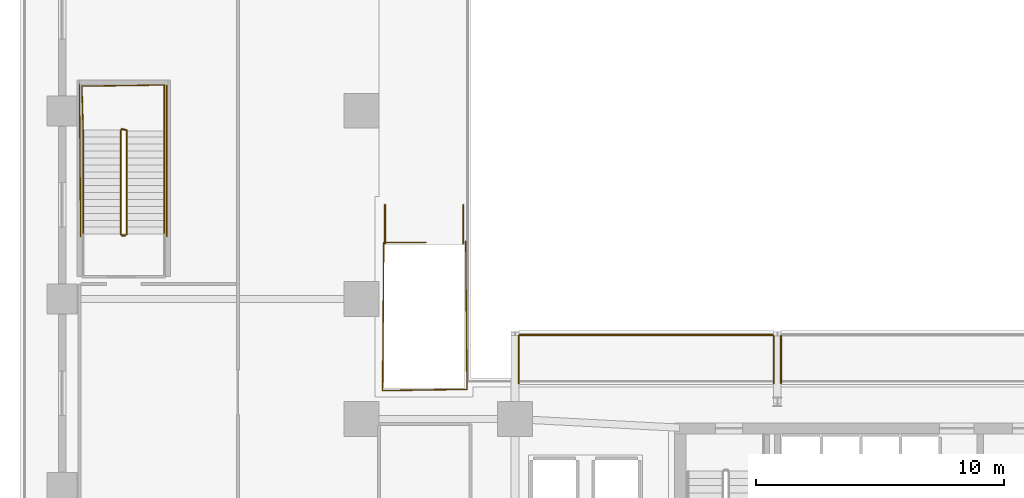
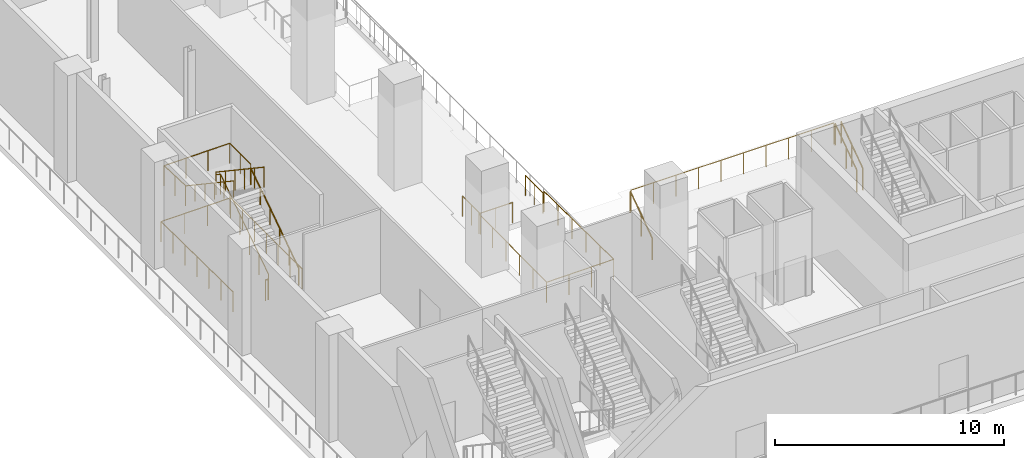
# One storey, part 17 of 28: 14 railings.
"""IFC4 building model written with IfcOpenShell, lengths in metres."""

from ifc_helpers import new_model, si_unit, direction, frame, origin, origin_2d, place, context, subcontext, project, spatial, circle, extrude, material, layer, layer_set, type_object, element, save


model = new_model("IFC4")

# Units and contexts
model_context = context("Model", 3, precision=1e-05, world=origin(), true_north=direction((0.0, 1.0)))
body_context = subcontext(model_context, "Body", "Model", "MODEL_VIEW")
ifc_project = project(units=[si_unit("LENGTHUNIT", "METRE"), si_unit("AREAUNIT", "SQUARE_METRE"), si_unit("VOLUMEUNIT", "CUBIC_METRE"), si_unit("PLANEANGLEUNIT", "RADIAN"), si_unit("MASSUNIT", "GRAM", prefix="KILO")], contexts=[model_context])

# Site, building, storey
site_placement = place(None, origin())
site = spatial("IfcSite", under=ifc_project, at=site_placement, CompositionType="ELEMENT")
building_placement = place(site_placement, origin())
building = spatial("IfcBuilding", under=site, at=building_placement, Name="Ndaravel Arena Tower", CompositionType="ELEMENT")
storey_placement = place(building_placement, frame((0.0, 0.0, 18.0)))
storey = spatial("IfcBuildingStorey", under=building, at=storey_placement, Name="L03", CompositionType="ELEMENT", Elevation=18.0)

# Railings
ifc_material_1 = material(Name="Steel S355", Category="steel")
ifc_layer_1 = layer(ifc_material_1, 0.06005859375)
ifc_layer_set_1 = layer_set([ifc_layer_1], Name="Steel S355")
railing_type_1 = type_object("IfcRailingType", Name="RAIL-STAIR-GD1100", PredefinedType="GUARDRAIL", material=ifc_layer_set_1)
railing_1_placement = place(storey_placement, frame((4.31005859375, 22.820068359375, 0.1875)))
element("IfcRailing", 1, at=railing_1_placement, inside=storey, type_object=railing_type_1, Name="L03 ST-A07 stair guard 1", PredefinedType="GUARDRAIL", context=body_context, shape_type="SweptSolid", body=[
    extrude(circle(Radius=0.02392578125, at=origin_2d()), frame((0.0, 0.0, 1.076171875), z_axis=(0.0, 0.830904186295, 0.556415522067), x_axis=(-1.0, 0.0, 0.0)), (0.0, 0.0, 1.0), 5.0546875),
    extrude(circle(Radius=0.02392578125, at=origin_2d()), frame((0.0, 4.199951171875, 3.888671875), z_axis=(-0.966993988697, 0.254799187253, 0.0), x_axis=(-0.254799187253, -0.966993988697, 0.0)), (0.0, 0.0, 1.0), 0.196533203125),
    extrude(circle(Radius=0.02099609375, at=origin_2d()), origin(), (0.0, 0.0, 1.0), 1.052001953125),
    extrude(circle(Radius=0.02099609375, at=origin_2d()), frame((0.0, 0.840087890625, 0.5625)), (0.0, 0.0, 1.0), 1.052001953125),
    extrude(circle(Radius=0.02099609375, at=origin_2d()), frame((0.0, 1.679931640625, 1.125)), (0.0, 0.0, 1.0), 1.052001953125),
    extrude(circle(Radius=0.02099609375, at=origin_2d()), frame((0.0, 2.52001953125, 1.6875)), (0.0, 0.0, 1.0), 1.052001953125),
    extrude(circle(Radius=0.02099609375, at=origin_2d()), frame((0.0, 3.35986328125, 2.25)), (0.0, 0.0, 1.0), 1.052001953125),
    extrude(circle(Radius=0.02099609375, at=origin_2d()), frame((0.0, 4.199951171875, 2.8125)), (0.0, 0.0, 1.0), 1.052001953125),
    extrude(circle(Radius=0.02099609375, at=origin_2d()), frame((-0.18994140625, 4.25, 2.8125)), (0.0, 0.0, 1.0), 1.052001953125),
])
railing_2_placement = place(storey_placement, frame((5.830078125, 27.02001953125, 3.0)))
element("IfcRailing", 2, at=railing_2_placement, inside=storey, type_object=railing_type_1, Name="L03 ST-A07 stair guard 2", PredefinedType="GUARDRAIL", context=body_context, shape_type="SweptSolid", body=[
    extrude(circle(Radius=0.02392578125, at=origin_2d()), frame((0.0, 0.0, 1.076171875), z_axis=(0.0, 1.0, 0.0), x_axis=(-1.0, 0.0, 0.0)), (0.0, 0.0, 1.0), 1.830078125),
    extrude(circle(Radius=0.02392578125, at=origin_2d()), frame((0.0, 1.830078125, 1.076171875), z_axis=(-0.999887078817, -0.015027628384, 0.0), x_axis=(0.015027628384, -0.999887078817, 0.0)), (0.0, 0.0, 1.0), 3.33056640625),
    extrude(circle(Radius=0.02392578125, at=origin_2d()), frame((-3.330078125, 1.780029296875, 1.076171875), z_axis=(0.028105748986, -0.999604955407, 0.0), x_axis=(0.999604955407, 0.028105748986, 0.0)), (0.0, 0.0, 1.0), 1.78076171875),
    extrude(circle(Radius=0.02099609375, at=origin_2d()), origin(), (0.0, 0.0, 1.0), 1.052001953125),
    extrude(circle(Radius=0.02099609375, at=origin_2d()), frame((0.0, 0.9150390625, 0.0)), (0.0, 0.0, 1.0), 1.052001953125),
    extrude(circle(Radius=0.02099609375, at=origin_2d()), frame((0.0, 1.830078125, 0.0)), (0.0, 0.0, 1.0), 1.052001953125),
    extrude(circle(Radius=0.02099609375, at=origin_2d()), frame((-1.110107421875, 1.8134765625, 0.0)), (0.0, 0.0, 1.0), 1.052001953125),
    extrude(circle(Radius=0.02099609375, at=origin_2d()), frame((-2.219970703125, 1.796630859375, 0.0)), (0.0, 0.0, 1.0), 1.052001953125),
    extrude(circle(Radius=0.02099609375, at=origin_2d()), frame((-3.330078125, 1.780029296875, 0.0)), (0.0, 0.0, 1.0), 1.052001953125),
    extrude(circle(Radius=0.02099609375, at=origin_2d()), frame((-3.30517578125, 0.89013671875, 0.0)), (0.0, 0.0, 1.0), 1.052001953125),
    extrude(circle(Radius=0.02099609375, at=origin_2d()), frame((-3.280029296875, 0.0, 0.0)), (0.0, 0.0, 1.0), 1.052001953125),
])
railing_3_placement = place(storey_placement, frame((4.070068359375, 27.02001953125, 3.1875)))
element("IfcRailing", 3, at=railing_3_placement, inside=storey, type_object=railing_type_1, Name="L03 ST-A07 stair guard 3", PredefinedType="GUARDRAIL", context=body_context, shape_type="SweptSolid", body=[
    extrude(circle(Radius=0.02392578125, at=origin_2d()), frame((0.0, 0.0, 1.076171875), z_axis=(0.0, -0.830904186295, 0.556415522067), x_axis=(1.0, 0.0, 0.0)), (0.0, 0.0, 1.0), 5.0546875),
    extrude(circle(Radius=0.02099609375, at=origin_2d()), origin(), (0.0, 0.0, 1.0), 1.052001953125),
    extrude(circle(Radius=0.02099609375, at=origin_2d()), frame((0.0, -0.840087890625, 0.5625)), (0.0, 0.0, 1.0), 1.052001953125),
    extrude(circle(Radius=0.02099609375, at=origin_2d()), frame((0.0, -1.679931640625, 1.125)), (0.0, 0.0, 1.0), 1.052001953125),
    extrude(circle(Radius=0.02099609375, at=origin_2d()), frame((0.0, -2.52001953125, 1.6875)), (0.0, 0.0, 1.0), 1.052001953125),
    extrude(circle(Radius=0.02099609375, at=origin_2d()), frame((0.0, -3.35986328125, 2.25)), (0.0, 0.0, 1.0), 1.052001953125),
    extrude(circle(Radius=0.02099609375, at=origin_2d()), frame((0.0, -4.199951171875, 2.8125)), (0.0, 0.0, 1.0), 1.052001953125),
])
railing_4_placement = place(storey_placement, frame((4.260009765625, 22.77001953125, 0.0)))
element("IfcRailing", 4, at=railing_4_placement, inside=storey, type_object=railing_type_1, Name="L03 ST-A07 stair guard 4", PredefinedType="GUARDRAIL", context=body_context, shape_type="SweptSolid", body=[
    extrude(circle(Radius=0.02392578125, at=origin_2d()), frame((0.0, 0.0, 1.076171875), z_axis=(-1.0, 0.0, 0.0), x_axis=(0.0, -1.0, 0.0)), (0.0, 0.0, 1.0), 0.139892578125),
    extrude(circle(Radius=0.02099609375, at=origin_2d()), origin(), (0.0, 0.0, 1.0), 1.052001953125),
    extrude(circle(Radius=0.02099609375, at=origin_2d()), frame((-0.139892578125, 0.0, 0.0)), (0.0, 0.0, 1.0), 1.052001953125),
])
railing_5_placement = place(storey_placement, frame((5.929931640625, 22.719970703125, 0.0)))
element("IfcRailing", 5, at=railing_5_placement, inside=storey, type_object=railing_type_1, Name="L03 ST-A07 stair guard 7", PredefinedType="GUARDRAIL", context=body_context, shape_type="SweptSolid", body=[
    extrude(circle(Radius=0.02392578125, at=origin_2d()), frame((0.0, 0.0, 1.076171875), z_axis=(0.0, 1.0, 0.0), x_axis=(-1.0, 0.0, 0.0)), (0.0, 0.0, 1.0), 6.22998046875),
    extrude(circle(Radius=0.02392578125, at=origin_2d()), frame((0.0, 6.22998046875, 1.076171875), z_axis=(-0.999899507016, -0.014176595818, 0.0), x_axis=(0.014176595818, -0.999899507016, 0.0)), (0.0, 0.0, 1.0), 3.5302734375),
    extrude(circle(Radius=0.02392578125, at=origin_2d()), frame((-3.530029296875, 6.179931640625, 1.076171875), z_axis=(0.008098339889, -0.999967207908, 0.0), x_axis=(0.999967207908, 0.008098339889, 0.0)), (0.0, 0.0, 1.0), 6.18017578125),
    extrude(circle(Radius=0.02099609375, at=origin_2d()), origin(), (0.0, 0.0, 1.0), 1.052001953125),
    extrude(circle(Radius=0.02099609375, at=origin_2d()), frame((0.0, 1.038330078125, 0.0)), (0.0, 0.0, 1.0), 1.052001953125),
    extrude(circle(Radius=0.02099609375, at=origin_2d()), frame((0.0, 2.07666015625, 0.0)), (0.0, 0.0, 1.0), 1.052001953125),
    extrude(circle(Radius=0.02099609375, at=origin_2d()), frame((0.0, 3.114990234375, 0.0)), (0.0, 0.0, 1.0), 1.052001953125),
    extrude(circle(Radius=0.02099609375, at=origin_2d()), frame((0.0, 4.1533203125, 0.0)), (0.0, 0.0, 1.0), 1.052001953125),
    extrude(circle(Radius=0.02099609375, at=origin_2d()), frame((0.0, 5.191650390625, 0.0)), (0.0, 0.0, 1.0), 1.052001953125),
    extrude(circle(Radius=0.02099609375, at=origin_2d()), frame((0.0, 6.22998046875, 0.0)), (0.0, 0.0, 1.0), 1.052001953125),
    extrude(circle(Radius=0.02099609375, at=origin_2d()), frame((-1.1767578125, 6.21337890625, 0.0)), (0.0, 0.0, 1.0), 1.052001953125),
    extrude(circle(Radius=0.02099609375, at=origin_2d()), frame((-2.353271484375, 6.196533203125, 0.0)), (0.0, 0.0, 1.0), 1.052001953125),
    extrude(circle(Radius=0.02099609375, at=origin_2d()), frame((-3.530029296875, 6.179931640625, 0.0)), (0.0, 0.0, 1.0), 1.052001953125),
    extrude(circle(Radius=0.02099609375, at=origin_2d()), frame((-3.521728515625, 5.14990234375, 0.0)), (0.0, 0.0, 1.0), 1.052001953125),
    extrude(circle(Radius=0.02099609375, at=origin_2d()), frame((-3.513427734375, 4.119873046875, 0.0)), (0.0, 0.0, 1.0), 1.052001953125),
    extrude(circle(Radius=0.02099609375, at=origin_2d()), frame((-3.5048828125, 3.08984375, 0.0)), (0.0, 0.0, 1.0), 1.052001953125),
    extrude(circle(Radius=0.02099609375, at=origin_2d()), frame((-3.49658203125, 2.06005859375, 0.0)), (0.0, 0.0, 1.0), 1.052001953125),
    extrude(circle(Radius=0.02099609375, at=origin_2d()), frame((-3.48828125, 1.030029296875, 0.0)), (0.0, 0.0, 1.0), 1.052001953125),
    extrude(circle(Radius=0.02099609375, at=origin_2d()), frame((-3.47998046875, 0.0, 0.0)), (0.0, 0.0, 1.0), 1.052001953125),
])
railing_6_placement = place(storey_placement, frame((18.010009765625, 22.5400390625, 0.0)))
element("IfcRailing", 6, at=railing_6_placement, inside=storey, type_object=railing_type_1, Name="L03 ST-VOM-1 top well guard 1", PredefinedType="GUARDRAIL", context=body_context, shape_type="SweptSolid", body=[
    extrude(circle(Radius=0.02392578125, at=origin_2d()), frame((0.0, 0.0, 1.076171875), z_axis=(0.008355118995, -0.999965095384, 0.0), x_axis=(0.999965095384, 0.008355118995, 0.0)), (0.0, 0.0, 1.0), 5.990234375),
    extrude(circle(Radius=0.02392578125, at=origin_2d()), frame((0.050048828125, -5.989990234375, 1.076171875), z_axis=(-0.99989231899, -0.014674822837, 0.0), x_axis=(0.014674822837, -0.99989231899, 0.0)), (0.0, 0.0, 1.0), 3.41064453125),
    extrude(circle(Radius=0.02392578125, at=origin_2d()), frame((-3.360107421875, -6.0400390625, 1.076171875), z_axis=(0.008355118995, 0.999965095384, 0.0), x_axis=(-0.999965095384, 0.008355118995, 0.0)), (0.0, 0.0, 1.0), 5.990234375),
    extrude(circle(Radius=0.02392578125, at=origin_2d()), frame((-3.31005859375, -0.050048828125, 1.076171875), z_axis=(1.0, 0.0, 0.0), x_axis=(0.0, 1.0, 0.0)), (0.0, 0.0, 1.0), 1.699951171875),
    extrude(circle(Radius=0.02099609375, at=origin_2d()), origin(), (0.0, 0.0, 1.0), 1.052001953125),
    extrude(circle(Radius=0.02099609375, at=origin_2d()), frame((0.010009765625, -1.197998046875, 0.0)), (0.0, 0.0, 1.0), 1.052001953125),
    extrude(circle(Radius=0.02099609375, at=origin_2d()), frame((0.02001953125, -2.39599609375, 0.0)), (0.0, 0.0, 1.0), 1.052001953125),
    extrude(circle(Radius=0.02099609375, at=origin_2d()), frame((0.030029296875, -3.593994140625, 0.0)), (0.0, 0.0, 1.0), 1.052001953125),
    extrude(circle(Radius=0.02099609375, at=origin_2d()), frame((0.0400390625, -4.7919921875, 0.0)), (0.0, 0.0, 1.0), 1.052001953125),
    extrude(circle(Radius=0.02099609375, at=origin_2d()), frame((0.050048828125, -5.989990234375, 0.0)), (0.0, 0.0, 1.0), 1.052001953125),
    extrude(circle(Radius=0.02099609375, at=origin_2d()), frame((-1.086669921875, -6.006591796875, 0.0)), (0.0, 0.0, 1.0), 1.052001953125),
    extrude(circle(Radius=0.02099609375, at=origin_2d()), frame((-2.223388671875, -6.0234375, 0.0)), (0.0, 0.0, 1.0), 1.052001953125),
    extrude(circle(Radius=0.02099609375, at=origin_2d()), frame((-3.360107421875, -6.0400390625, 0.0)), (0.0, 0.0, 1.0), 1.052001953125),
    extrude(circle(Radius=0.02099609375, at=origin_2d()), frame((-3.35009765625, -4.842041015625, 0.0)), (0.0, 0.0, 1.0), 1.052001953125),
    extrude(circle(Radius=0.02099609375, at=origin_2d()), frame((-3.340087890625, -3.64404296875, 0.0)), (0.0, 0.0, 1.0), 1.052001953125),
    extrude(circle(Radius=0.02099609375, at=origin_2d()), frame((-3.330078125, -2.446044921875, 0.0)), (0.0, 0.0, 1.0), 1.052001953125),
    extrude(circle(Radius=0.02099609375, at=origin_2d()), frame((-3.320068359375, -1.248046875, 0.0)), (0.0, 0.0, 1.0), 1.052001953125),
    extrude(circle(Radius=0.02099609375, at=origin_2d()), frame((-3.31005859375, -0.050048828125, 0.0)), (0.0, 0.0, 1.0), 1.052001953125),
    extrude(circle(Radius=0.02099609375, at=origin_2d()), frame((-2.4599609375, -0.050048828125, 0.0)), (0.0, 0.0, 1.0), 1.052001953125),
    extrude(circle(Radius=0.02099609375, at=origin_2d()), frame((-1.610107421875, -0.050048828125, 0.0)), (0.0, 0.0, 1.0), 1.052001953125),
])
for number, where, name in (
    (7, (14.75, 24.0, 0.0), "L03 ST-VOM-1 top well guard 2"),
    (8, (17.909912109375, 24.0, 0.0), "L03 ST-VOM-1 top well guard 3"),
):
    element("IfcRailing", number, at=place(storey_placement, frame(where)), inside=storey, type_object=railing_type_1, Name=name, PredefinedType="GUARDRAIL", context=body_context, shape_type="SweptSolid", body=[
        extrude(circle(Radius=0.02392578125, at=origin_2d()), frame((0.0, 0.0, 1.076171875), z_axis=(0.0, -1.0, 0.0), x_axis=(1.0, 0.0, 0.0)), (0.0, 0.0, 1.0), 1.56005859375),
        extrude(circle(Radius=0.02099609375, at=origin_2d()), origin(), (0.0, 0.0, 1.0), 1.052001953125),
        extrude(circle(Radius=0.02099609375, at=origin_2d()), frame((0.0, -0.780029296875, 0.0)), (0.0, 0.0, 1.0), 1.052001953125),
        extrude(circle(Radius=0.02099609375, at=origin_2d()), frame((0.0, -1.56005859375, 0.0)), (0.0, 0.0, 1.0), 1.052001953125),
    ])
ifc_material_2 = material(Name="Steel S355", Category="steel")
ifc_layer_2 = layer(ifc_material_2, 0.050048828125)
ifc_layer_set_2 = layer_set([ifc_layer_2], Name="Steel S355")
railing_type_2 = type_object("IfcRailingType", Name="RAIL-STAIR-HR920", PredefinedType="HANDRAIL", material=ifc_layer_set_2)
railing_7_placement = place(storey_placement, frame((5.830078125, 22.820068359375, 0.1875)))
element("IfcRailing", 9, at=railing_7_placement, inside=storey, type_object=railing_type_2, Name="L03 ST-A07 stair handrail 1", PredefinedType="HANDRAIL", context=body_context, shape_type="SweptSolid", body=[
    extrude(circle(Radius=0.02392578125, at=origin_2d()), frame((0.0, 0.0, 0.8759765625), z_axis=(0.0, 0.830904186295, 0.556415522067), x_axis=(-1.0, 0.0, 0.0)), (0.0, 0.0, 1.0), 5.0546875),
    extrude(circle(Radius=0.02099609375, at=origin_2d()), origin(), (0.0, 0.0, 1.0), 0.851806640625),
    extrude(circle(Radius=0.02099609375, at=origin_2d()), frame((0.0, 0.840087890625, 0.5625)), (0.0, 0.0, 1.0), 0.851806640625),
    extrude(circle(Radius=0.02099609375, at=origin_2d()), frame((0.0, 1.679931640625, 1.125)), (0.0, 0.0, 1.0), 0.851806640625),
    extrude(circle(Radius=0.02099609375, at=origin_2d()), frame((0.0, 2.52001953125, 1.6875)), (0.0, 0.0, 1.0), 0.851806640625),
    extrude(circle(Radius=0.02099609375, at=origin_2d()), frame((0.0, 3.35986328125, 2.25)), (0.0, 0.0, 1.0), 0.851806640625),
    extrude(circle(Radius=0.02099609375, at=origin_2d()), frame((0.0, 4.199951171875, 2.8125)), (0.0, 0.0, 1.0), 0.851806640625),
])
railing_8_placement = place(storey_placement, frame((2.550048828125, 27.02001953125, 3.1875)))
element("IfcRailing", 10, at=railing_8_placement, inside=storey, type_object=railing_type_2, Name="L03 ST-A07 stair handrail 2", PredefinedType="HANDRAIL", context=body_context, shape_type="SweptSolid", body=[
    extrude(circle(Radius=0.02392578125, at=origin_2d()), frame((0.0, 0.0, 0.8759765625), z_axis=(0.0, -0.830904186295, 0.556415522067), x_axis=(1.0, 0.0, 0.0)), (0.0, 0.0, 1.0), 5.0546875),
    extrude(circle(Radius=0.02099609375, at=origin_2d()), origin(), (0.0, 0.0, 1.0), 0.851806640625),
    extrude(circle(Radius=0.02099609375, at=origin_2d()), frame((0.0, -0.840087890625, 0.5625)), (0.0, 0.0, 1.0), 0.851806640625),
    extrude(circle(Radius=0.02099609375, at=origin_2d()), frame((0.0, -1.679931640625, 1.125)), (0.0, 0.0, 1.0), 0.851806640625),
    extrude(circle(Radius=0.02099609375, at=origin_2d()), frame((0.0, -2.52001953125, 1.6875)), (0.0, 0.0, 1.0), 0.851806640625),
    extrude(circle(Radius=0.02099609375, at=origin_2d()), frame((0.0, -3.35986328125, 2.25)), (0.0, 0.0, 1.0), 0.851806640625),
    extrude(circle(Radius=0.02099609375, at=origin_2d()), frame((0.0, -4.199951171875, 2.8125)), (0.0, 0.0, 1.0), 0.851806640625),
])
ifc_material_3 = material(Name="Glazing", Category="glass")
ifc_layer_3 = layer(ifc_material_3, 0.070068359375)
ifc_layer_set_3 = layer_set([ifc_layer_3], Name="Glazing")
railing_type_3 = type_object("IfcRailingType", Name="RAIL-TERRACE-1150", PredefinedType="BALUSTRADE", material=ifc_layer_set_3)
railing_9_placement = place(storey_placement, frame((20.14990234375, 16.800048828125, 0.179931640625)))
element("IfcRailing", 11, at=railing_9_placement, inside=storey, type_object=railing_type_3, Name="L03 Upper South Stand Guard 1W", PredefinedType="BALUSTRADE", context=body_context, shape_type="SweptSolid", body=[
    extrude(circle(Radius=0.02392578125, at=origin_2d()), frame((0.0, 0.0, 1.1259765625), z_axis=(0.0, 0.818597260198, 0.574367935731), x_axis=(-1.0, 0.0, 0.0)), (0.0, 0.0, 1.0), 2.333251953125),
    extrude(circle(Radius=0.02099609375, at=origin_2d()), origin(), (0.0, 0.0, 1.0), 1.101806640625),
    extrude(circle(Radius=0.02099609375, at=origin_2d()), frame((0.0, 0.955078125, 0.669921875)), (0.0, 0.0, 1.0), 1.101806640625),
    extrude(circle(Radius=0.02099609375, at=origin_2d()), frame((0.0, 1.909912109375, 1.340087890625)), (0.0, 0.0, 1.0), 1.101806640625),
])
railing_10_placement = place(storey_placement, frame((20.18994140625, 18.75, 1.550048828125)))
element("IfcRailing", 12, at=railing_10_placement, inside=storey, type_object=railing_type_3, Name="L03 Upper South Stand Guard 1F", PredefinedType="BALUSTRADE", context=body_context, shape_type="SweptSolid", body=[
    extrude(circle(Radius=0.02392578125, at=origin_2d()), frame((0.0, 0.0, 1.1259765625), z_axis=(1.0, 0.0, 0.0), x_axis=(0.0, 1.0, 0.0)), (0.0, 0.0, 1.0), 10.219970703125),
    extrude(circle(Radius=0.02099609375, at=origin_2d()), origin(), (0.0, 0.0, 1.0), 1.101806640625),
    extrude(circle(Radius=0.02099609375, at=origin_2d()), frame((1.135498046875, 0.0, 0.0)), (0.0, 0.0, 1.0), 1.101806640625),
    extrude(circle(Radius=0.02099609375, at=origin_2d()), frame((2.27099609375, 0.0, 0.0)), (0.0, 0.0, 1.0), 1.101806640625),
    extrude(circle(Radius=0.02099609375, at=origin_2d()), frame((3.40673828125, 0.0, 0.0)), (0.0, 0.0, 1.0), 1.101806640625),
    extrude(circle(Radius=0.02099609375, at=origin_2d()), frame((4.542236328125, 0.0, 0.0)), (0.0, 0.0, 1.0), 1.101806640625),
    extrude(circle(Radius=0.02099609375, at=origin_2d()), frame((5.677734375, 0.0, 0.0)), (0.0, 0.0, 1.0), 1.101806640625),
    extrude(circle(Radius=0.02099609375, at=origin_2d()), frame((6.813232421875, 0.0, 0.0)), (0.0, 0.0, 1.0), 1.101806640625),
    extrude(circle(Radius=0.02099609375, at=origin_2d()), frame((7.948974609375, 0.0, 0.0)), (0.0, 0.0, 1.0), 1.101806640625),
    extrude(circle(Radius=0.02099609375, at=origin_2d()), frame((9.08447265625, 0.0, 0.0)), (0.0, 0.0, 1.0), 1.101806640625),
    extrude(circle(Radius=0.02099609375, at=origin_2d()), frame((10.219970703125, 0.0, 0.0)), (0.0, 0.0, 1.0), 1.101806640625),
])
railing_11_placement = place(storey_placement, frame((30.449951171875, 18.7099609375, 1.52001953125)))
element("IfcRailing", 13, at=railing_11_placement, inside=storey, type_object=railing_type_3, Name="L03 Upper South Stand Guard 1E", PredefinedType="BALUSTRADE", context=body_context, shape_type="SweptSolid", body=[
    extrude(circle(Radius=0.02392578125, at=origin_2d()), frame((0.0, 0.0, 1.1259765625), z_axis=(0.0, -0.818597260198, -0.574367935731), x_axis=(1.0, 0.0, 0.0)), (0.0, 0.0, 1.0), 2.333251953125),
    extrude(circle(Radius=0.02099609375, at=origin_2d()), origin(), (0.0, 0.0, 1.0), 1.101806640625),
    extrude(circle(Radius=0.02099609375, at=origin_2d()), frame((0.0, -0.955078125, -0.669921875)), (0.0, 0.0, 1.0), 1.101806640625),
    extrude(circle(Radius=0.02099609375, at=origin_2d()), frame((0.0, -1.909912109375, -1.340087890625)), (0.0, 0.0, 1.0), 1.101806640625),
])
railing_12_placement = place(storey_placement, frame((30.75, 16.800048828125, 0.179931640625)))
element("IfcRailing", 14, at=railing_12_placement, inside=storey, type_object=railing_type_3, Name="L03 Upper South Stand Guard 2W", PredefinedType="BALUSTRADE", context=body_context, shape_type="SweptSolid", body=[
    extrude(circle(Radius=0.02392578125, at=origin_2d()), frame((0.0, 0.0, 1.1259765625), z_axis=(0.0, 0.818597260198, 0.574367935731), x_axis=(-1.0, 0.0, 0.0)), (0.0, 0.0, 1.0), 2.333251953125),
    extrude(circle(Radius=0.02099609375, at=origin_2d()), origin(), (0.0, 0.0, 1.0), 1.101806640625),
    extrude(circle(Radius=0.02099609375, at=origin_2d()), frame((0.0, 0.955078125, 0.669921875)), (0.0, 0.0, 1.0), 1.101806640625),
    extrude(circle(Radius=0.02099609375, at=origin_2d()), frame((0.0, 1.909912109375, 1.340087890625)), (0.0, 0.0, 1.0), 1.101806640625),
])

save(model, "model.ifc")
